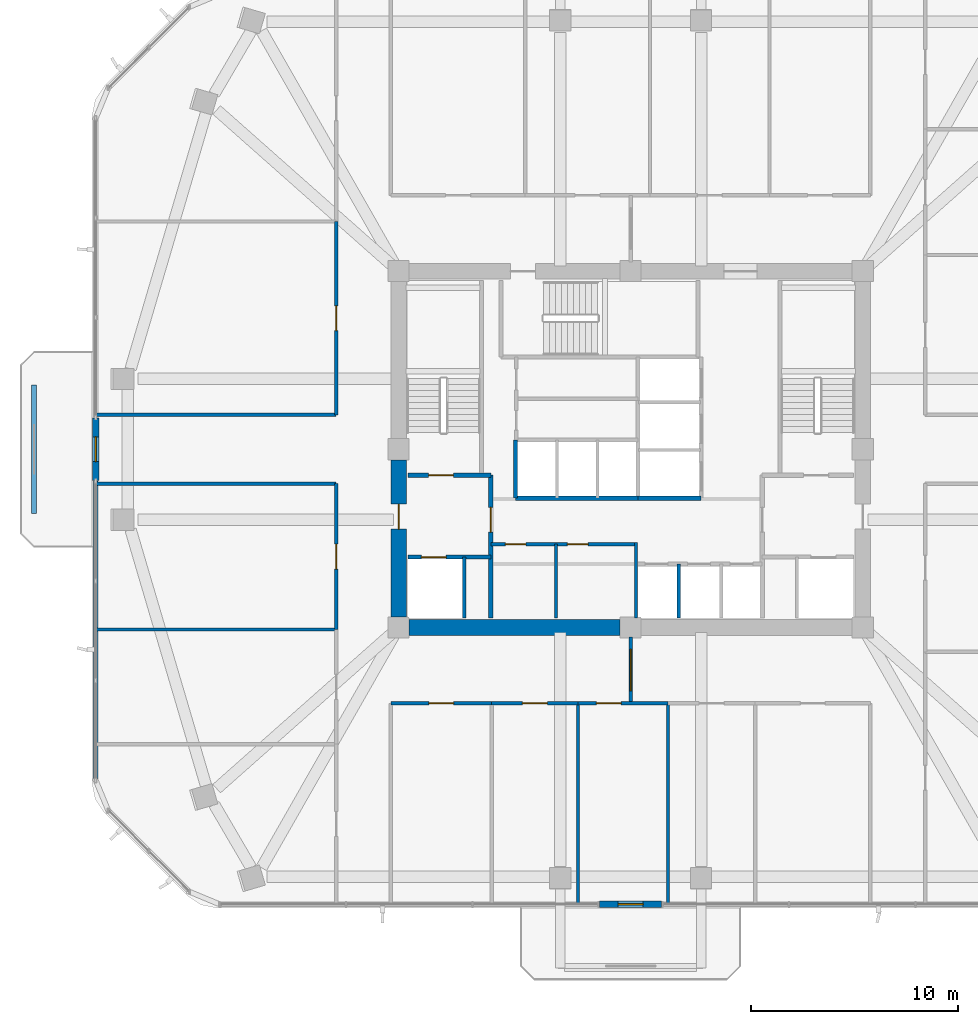
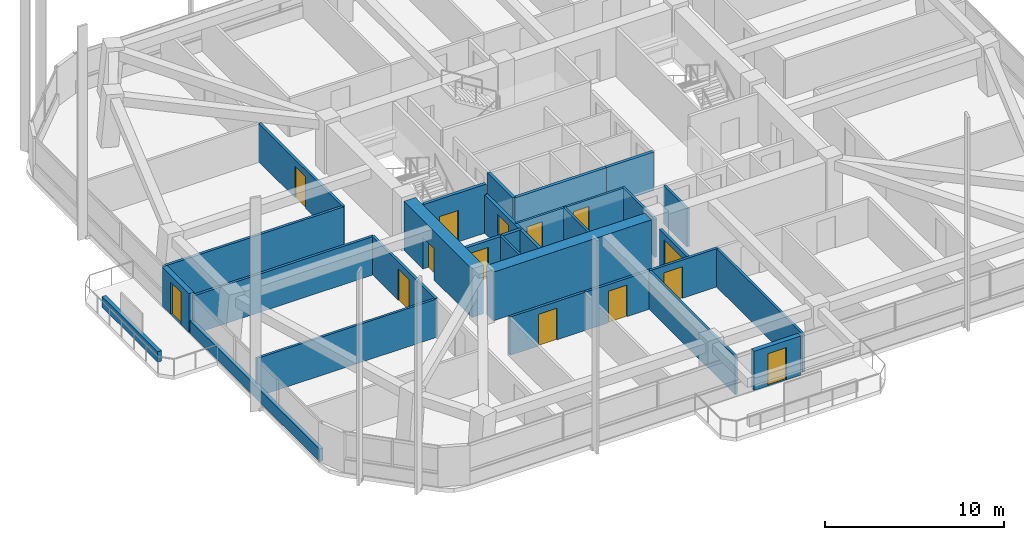
# One storey, part 8 of 15: 28 walls, 14 doors, 14 openings.
"""IFC4 building model written with IfcOpenShell, lengths in metres."""

from ifc_helpers import new_model, si_unit, derived_unit, direction, frame, frame_2d, origin, place, context, subcontext, project, spatial, rectangle, extrude, material, layer, layer_set, type_object, element, fill, save


model = new_model("IFC4")

# Units and contexts
model_context = context("Model", 3, precision=1e-05, world=origin(), true_north=direction((0.0, 1.0)))
body_context = subcontext(model_context, "Body", "Model", "MODEL_VIEW")
ifc_project = project(units=[si_unit("LENGTHUNIT", "METRE"), si_unit("AREAUNIT", "SQUARE_METRE"), si_unit("VOLUMEUNIT", "CUBIC_METRE"), si_unit("PLANEANGLEUNIT", "RADIAN"), si_unit("MASSUNIT", "GRAM", prefix="KILO"), derived_unit("THERMALTRANSMITTANCEUNIT", [(si_unit("POWERUNIT", "WATT"), 1), (si_unit("LENGTHUNIT", "METRE"), -2), (si_unit("THERMODYNAMICTEMPERATUREUNIT", "KELVIN"), -1)])], contexts=[model_context])

# Site, building, storey
site_placement = place(None, origin())
site = spatial("IfcSite", under=ifc_project, at=site_placement, CompositionType="ELEMENT")
building_placement = place(site_placement, origin())
building = spatial("IfcBuilding", under=site, at=building_placement, Name="Koralith Skygarden Medical Center", CompositionType="ELEMENT")
storey_placement = place(building_placement, frame((0.0, 0.0, 99.179931640625)))
storey = spatial("IfcBuildingStorey", under=building, at=storey_placement, Name="L25", CompositionType="ELEMENT", Elevation=99.179931640625)

# Wall, openings, doors
ifc_material_1 = material(Name="Gypsum Board Partition")
ifc_layer_1 = layer(ifc_material_1, 0.14990234375)
ifc_layer_set_1 = layer_set([ifc_layer_1], Name="Gypsum Board Partition")
wall_type_1 = type_object("IfcWallType", Name="Clinical Acoustic Partition 150", PredefinedType="PARTITIONING", material=ifc_layer_set_1)
wall_1_placement = place(storey_placement, frame((30.25, 21.320068359375, 0.0), z_axis=(0.0, 0.0, 1.0), x_axis=(1.0, 0.0, 0.0)))
wall_1 = element("IfcWall", 1, at=wall_1_placement, inside=storey, type_object=wall_type_1, Name="L25 Clinical Acoustic Partition 150 W-CORE-L25-FREED-LR-N", PredefinedType="PARTITIONING", context=body_context, shape_type="SweptSolid", body=[
    extrude(rectangle(XDim=7.0, YDim=0.14990234375, at=frame_2d((3.5, 0.0))), origin(), (0.0, 0.0, 1.0), 2.610107421875),
])
opening_1_placement = place(wall_1_placement, frame((0.699951171875, 0.0, 0.0)))
opening_1 = element("IfcOpeningElement", 2, at=opening_1_placement, cuts=wall_1, Name="Opening D-SUP", PredefinedType="OPENING", context=body_context, shape_type="SweptSolid", body=[
    extrude(rectangle(XDim=1.0, YDim=2.14990234375, at=frame_2d((0.5, 1.074951171875))), frame((0.0, 0.0849609375, 0.0), z_axis=(0.0, -1.0, 0.0), x_axis=(1.0, 0.0, 0.0)), (0.0, 0.0, 1.0), 0.169921875),
])
opening_2_placement = place(wall_1_placement, frame((3.699951171875, 0.0, 0.0)))
opening_2 = element("IfcOpeningElement", 3, at=opening_2_placement, cuts=wall_1, Name="Opening D-SUP", PredefinedType="OPENING", context=body_context, shape_type="SweptSolid", body=[
    extrude(rectangle(XDim=1.0, YDim=2.14990234375, at=frame_2d((0.5, 1.074951171875))), frame((0.0, 0.0849609375, 0.0), z_axis=(0.0, -1.0, 0.0), x_axis=(1.0, 0.0, 0.0)), (0.0, 0.0, 1.0), 0.169921875),
])
ifc_material_2 = material(Name="Aluminium 6063-T6", Category="aluminium")
door_type_1 = type_object("IfcDoorType", Name="Clinical Support Door D-SUP 1000", OperationType="NOTDEFINED", PredefinedType="DOOR", material=ifc_material_2)
door_1_placement = place(opening_1_placement, frame((1.0, 0.0, 0.0), z_axis=(0.0, 0.0, 1.0), x_axis=(-1.0, 0.0, 0.0)))
door_1 = element("IfcDoor", 4, at=door_1_placement, inside=storey, type_object=door_type_1, Name="L25 Medication Preparation Door", OperationType="SINGLE_SWING_LEFT", OverallHeight=2.14990234375, OverallWidth=1.0, PredefinedType="DOOR", context=body_context, shape_type="SweptSolid", body=[
    extrude(rectangle(XDim=1.0, YDim=2.14990234375, at=frame_2d((0.5, 1.074951171875))), frame((0.0, 0.02490234375, 0.0), z_axis=(0.0, -1.0, 0.0), x_axis=(1.0, 0.0, 0.0)), (0.0, 0.0, 1.0), 0.050048828125),
])
fill(opening_1, door_1)
door_2_placement = place(opening_2_placement, frame((1.0, 0.0, 0.0), z_axis=(0.0, 0.0, 1.0), x_axis=(-1.0, 0.0, 0.0)))
door_2 = element("IfcDoor", 5, at=door_2_placement, inside=storey, type_object=door_type_1, Name="L25 Telemetry Room Door", OperationType="SINGLE_SWING_RIGHT", OverallHeight=2.14990234375, OverallWidth=1.0, PredefinedType="DOOR", context=body_context, shape_type="SweptSolid", body=[
    extrude(rectangle(XDim=1.0, YDim=2.14990234375, at=frame_2d((0.5, 1.074951171875))), frame((0.0, 0.02490234375, 0.0), z_axis=(0.0, -1.0, 0.0), x_axis=(1.0, 0.0, 0.0)), (0.0, 0.0, 1.0), 0.050048828125),
])
fill(opening_2, door_2)

# Walls
wall_2_placement = place(storey_placement, frame((33.39990234375, 17.75, 0.0), z_axis=(0.0, 0.0, 1.0), x_axis=(0.0, 1.0, 0.0)))
element("IfcWall", 6, at=wall_2_placement, inside=storey, type_object=wall_type_1, Name="L25 Clinical Acoustic Partition 150 W-CORE-L25-FREED-LR-M", PredefinedType="PARTITIONING", context=body_context, shape_type="SweptSolid", body=[
    extrude(rectangle(XDim=3.570068359375, YDim=0.14990234375, at=frame_2d((1.78515625, 0.0))), origin(), (0.0, 0.0, 1.0), 2.610107421875),
])
for number, where, z_axis, x_axis, name in (
    (7, (34.45703125, 13.639892578125, 0.0), (0.0, 0.0, 1.0), (0.0, -1.0, 0.0), "L25 Clinical Acoustic Partition 150 W-PART-L25-S-02"),
    (8, (38.800048828125, 13.639892578125, 0.0), (0.0, 0.0, 1.0), (0.0, -1.0, 0.0), "L25 Clinical Acoustic Partition 150 W-PART-L25-S-03"),
):
    element("IfcWall", number, at=place(storey_placement, frame(where, z_axis=z_axis, x_axis=x_axis)), inside=storey, type_object=wall_type_1, Name=name, PredefinedType="PARTITIONING", context=body_context, shape_type="SweptSolid", body=[
        extrude(rectangle(XDim=9.6748046875, YDim=0.14990234375, at=frame_2d((4.83740234375, 0.0))), origin(), (0.0, 0.0, 1.0), 2.610107421875),
    ])
wall_3_placement = place(storey_placement, frame((22.7900390625, 17.199951171875, 0.0), z_axis=(0.0, 0.0, 1.0), x_axis=(-1.0, 0.0, 0.0)))
element("IfcWall", 9, at=wall_3_placement, inside=storey, type_object=wall_type_1, Name="L25 Clinical Acoustic Partition 150 W-PART-L25-WS-02", PredefinedType="PARTITIONING", context=body_context, shape_type="SweptSolid", body=[
    extrude(rectangle(XDim=11.5830078125, YDim=0.14990234375, at=frame_2d((5.79150390625, 0.0))), origin(), (0.0, 0.0, 1.0), 2.610107421875),
])
ifc_layer_2 = layer(ifc_material_1, 0.1650390625)
ifc_layer_set_2 = layer_set([ifc_layer_2], Name="Gypsum Board Partition")
wall_type_2 = type_object("IfcWallType", Name="Clinical Corridor Partition 165", PredefinedType="PARTITIONING", material=ifc_layer_set_2)
for number, where, z_axis, x_axis, name in (
    (10, (11.20703125, 24.239990234375, 0.0), (0.0, 0.0, 1.0), (1.0, 0.0, 0.0), "L25 Clinical Corridor Partition 165 W-HCOR-L25-EWS-W"),
    (11, (11.20703125, 27.56005859375, 0.0), (0.0, 0.0, 1.0), (1.0, 0.0, 0.0), "L25 Clinical Corridor Partition 165 W-HCOR-L25-EWN-W"),
):
    element("IfcWall", number, at=place(storey_placement, frame(where, z_axis=z_axis, x_axis=x_axis)), inside=storey, type_object=wall_type_2, Name=name, PredefinedType="PARTITIONING", context=body_context, shape_type="SweptSolid", body=[
        extrude(rectangle(XDim=11.5830078125, YDim=0.1650390625, at=frame_2d((5.79150390625, 0.0))), origin(), (0.0, 0.0, 1.0), 2.610107421875),
    ])

# Wall, opening, door
wall_4_placement = place(storey_placement, frame((25.429931640625, 13.639892578125, 0.0), z_axis=(0.0, 0.0, 1.0), x_axis=(1.0, 0.0, 0.0)))
wall_4 = element("IfcWall", 12, at=wall_4_placement, inside=storey, type_object=wall_type_2, Name="L25 Clinical Corridor Partition 165 W-CORR-L25-S-01", PredefinedType="PARTITIONING", context=body_context, shape_type="SweptSolid", body=[
    extrude(rectangle(XDim=4.864990234375, YDim=0.1650390625, at=frame_2d((2.4326171875, 0.0))), origin(), (0.0, 0.0, 1.0), 2.610107421875),
])
opening_3_placement = place(wall_4_placement, frame((1.8330078125, 0.0, 0.0)))
opening_3 = element("IfcOpeningElement", 13, at=opening_3_placement, cuts=wall_4, Name="Opening D-CLN", PredefinedType="OPENING", context=body_context, shape_type="SweptSolid", body=[
    extrude(rectangle(XDim=1.199951171875, YDim=2.14990234375, at=frame_2d((0.60009765625, 1.074951171875))), frame((0.0, 0.092529296875, 0.0), z_axis=(0.0, -1.0, 0.0), x_axis=(1.0, 0.0, 0.0)), (0.0, 0.0, 1.0), 0.18505859375),
])
door_type_2 = type_object("IfcDoorType", Name="Clinical Corridor Door D-CLN 1200", OperationType="NOTDEFINED", PredefinedType="DOOR", material=ifc_material_2)
door_3_placement = place(opening_3_placement, frame((1.199951171875, 0.0, 0.0), z_axis=(0.0, 0.0, 1.0), x_axis=(-1.0, 0.0, 0.0)))
door_3 = element("IfcDoor", 14, at=door_3_placement, inside=storey, type_object=door_type_2, Name="L25 Palliative Quiet Family Lounge 05 Door", OperationType="SINGLE_SWING_RIGHT", OverallHeight=2.14990234375, OverallWidth=1.199951171875, PredefinedType="DOOR", context=body_context, shape_type="SweptSolid", body=[
    extrude(rectangle(XDim=1.199951171875, YDim=2.14990234375, at=frame_2d((0.60009765625, 1.074951171875))), frame((0.0, 0.02490234375, 0.0), z_axis=(0.0, -1.0, 0.0), x_axis=(1.0, 0.0, 0.0)), (0.0, 0.0, 1.0), 0.050048828125),
])
fill(opening_3, door_3)

wall_5_placement = place(storey_placement, frame((30.294921875, 13.639892578125, 0.0), z_axis=(0.0, 0.0, 1.0), x_axis=(1.0, 0.0, 0.0)))
wall_5 = element("IfcWall", 15, at=wall_5_placement, inside=storey, type_object=wall_type_2, Name="L25 Clinical Corridor Partition 165 W-CORR-L25-S-02", PredefinedType="PARTITIONING", context=body_context, shape_type="SweptSolid", body=[
    extrude(rectangle(XDim=4.162109375, YDim=0.1650390625, at=frame_2d((2.0810546875, 0.0))), origin(), (0.0, 0.0, 1.0), 2.610107421875),
])
opening_4_placement = place(wall_5_placement, frame((1.48095703125, 0.0, 0.0)))
opening_4 = element("IfcOpeningElement", 16, at=opening_4_placement, cuts=wall_5, Name="Opening D-CLN", PredefinedType="OPENING", context=body_context, shape_type="SweptSolid", body=[
    extrude(rectangle(XDim=1.199951171875, YDim=2.14990234375, at=frame_2d((0.60009765625, 1.074951171875))), frame((0.0, 0.092529296875, 0.0), z_axis=(0.0, -1.0, 0.0), x_axis=(1.0, 0.0, 0.0)), (0.0, 0.0, 1.0), 0.18505859375),
])
door_4_placement = place(opening_4_placement, frame((1.199951171875, 0.0, 0.0), z_axis=(0.0, 0.0, 1.0), x_axis=(-1.0, 0.0, 0.0)))
door_4 = element("IfcDoor", 17, at=door_4_placement, inside=storey, type_object=door_type_2, Name="L25 Bereavement Sitting Room 06 Door", OperationType="SINGLE_SWING_LEFT", OverallHeight=2.14990234375, OverallWidth=1.199951171875, PredefinedType="DOOR", context=body_context, shape_type="SweptSolid", body=[
    extrude(rectangle(XDim=1.199951171875, YDim=2.14990234375, at=frame_2d((0.60009765625, 1.074951171875))), frame((0.0, 0.02490234375, 0.0), z_axis=(0.0, -1.0, 0.0), x_axis=(1.0, 0.0, 0.0)), (0.0, 0.0, 1.0), 0.050048828125),
])
fill(opening_4, door_4)

wall_6_placement = place(storey_placement, frame((34.45703125, 13.639892578125, 0.0), z_axis=(0.0, 0.0, 1.0), x_axis=(1.0, 0.0, 0.0)))
wall_6 = element("IfcWall", 18, at=wall_6_placement, inside=storey, type_object=wall_type_2, Name="L25 Clinical Corridor Partition 165 W-CORR-L25-S-03", PredefinedType="PARTITIONING", context=body_context, shape_type="SweptSolid", body=[
    extrude(rectangle(XDim=4.343017578125, YDim=0.1650390625, at=frame_2d((2.17138671875, 0.0))), origin(), (0.0, 0.0, 1.0), 2.610107421875),
])
opening_5_placement = place(wall_6_placement, frame((0.886962890625, 0.0, 0.0)))
opening_5 = element("IfcOpeningElement", 19, at=opening_5_placement, cuts=wall_6, Name="Opening D-CLN", PredefinedType="OPENING", context=body_context, shape_type="SweptSolid", body=[
    extrude(rectangle(XDim=1.199951171875, YDim=2.14990234375, at=frame_2d((0.60009765625, 1.074951171875))), frame((0.0, 0.092529296875, 0.0), z_axis=(0.0, -1.0, 0.0), x_axis=(1.0, 0.0, 0.0)), (0.0, 0.0, 1.0), 0.18505859375),
])
door_5_placement = place(opening_5_placement, frame((1.199951171875, 0.0, 0.0), z_axis=(0.0, 0.0, 1.0), x_axis=(-1.0, 0.0, 0.0)))
door_5 = element("IfcDoor", 20, at=door_5_placement, inside=storey, type_object=door_type_2, Name="L25 Patient and Family Sky-Garden Day Lounge 07 Door", OperationType="SINGLE_SWING_RIGHT", OverallHeight=2.14990234375, OverallWidth=1.199951171875, PredefinedType="DOOR", context=body_context, shape_type="SweptSolid", body=[
    extrude(rectangle(XDim=1.199951171875, YDim=2.14990234375, at=frame_2d((0.60009765625, 1.074951171875))), frame((0.0, 0.02490234375, 0.0), z_axis=(0.0, -1.0, 0.0), x_axis=(1.0, 0.0, 0.0)), (0.0, 0.0, 1.0), 0.050048828125),
])
fill(opening_5, door_5)

wall_7_placement = place(storey_placement, frame((22.7900390625, 17.199951171875, 0.0), z_axis=(0.0, 0.0, 1.0), x_axis=(0.0, 1.0, 0.0)))
wall_7 = element("IfcWall", 21, at=wall_7_placement, inside=storey, type_object=wall_type_2, Name="L25 Clinical Corridor Partition 165 W-CORR-L25-WS-03", PredefinedType="PARTITIONING", context=body_context, shape_type="SweptSolid", body=[
    extrude(rectangle(XDim=7.0400390625, YDim=0.1650390625, at=frame_2d((3.52001953125, 0.0))), origin(), (0.0, 0.0, 1.0), 2.610107421875),
])
opening_6_placement = place(wall_7_placement, frame((2.919921875, 0.0, 0.0)))
opening_6 = element("IfcOpeningElement", 22, at=opening_6_placement, cuts=wall_7, Name="Opening D-CLN", PredefinedType="OPENING", context=body_context, shape_type="SweptSolid", body=[
    extrude(rectangle(XDim=1.199951171875, YDim=2.14990234375, at=frame_2d((0.60009765625, 1.074951171875))), frame((0.0, 0.092529296875, 0.0), z_axis=(0.0, -1.0, 0.0), x_axis=(1.0, 0.0, 0.0)), (0.0, 0.0, 1.0), 0.18505859375),
])
door_6_placement = place(opening_6_placement, frame((1.199951171875, 0.0, 0.0), z_axis=(0.0, 0.0, 1.0), x_axis=(-1.0, 0.0, 0.0)))
door_6 = element("IfcDoor", 23, at=door_6_placement, inside=storey, type_object=door_type_2, Name="L25 Family Nourishment Pantry 12 Door", OperationType="SINGLE_SWING_LEFT", OverallHeight=2.14990234375, OverallWidth=1.199951171875, PredefinedType="DOOR", context=body_context, shape_type="SweptSolid", body=[
    extrude(rectangle(XDim=1.199951171875, YDim=2.14990234375, at=frame_2d((0.60009765625, 1.074951171875))), frame((0.0, 0.02490234375, 0.0), z_axis=(0.0, -1.0, 0.0), x_axis=(1.0, 0.0, 0.0)), (0.0, 0.0, 1.0), 0.050048828125),
])
fill(opening_6, door_6)

wall_8_placement = place(storey_placement, frame((22.7900390625, 27.56005859375, 0.0), z_axis=(0.0, 0.0, 1.0), x_axis=(0.0, 1.0, 0.0)))
wall_8 = element("IfcWall", 24, at=wall_8_placement, inside=storey, type_object=wall_type_2, Name="L25 Clinical Corridor Partition 165 W-CORR-L25-WN-01", PredefinedType="PARTITIONING", context=body_context, shape_type="SweptSolid", body=[
    extrude(rectangle(XDim=9.325927734375, YDim=0.1650390625, at=frame_2d((4.6630859375, 0.0))), origin(), (0.0, 0.0, 1.0), 2.610107421875),
])
opening_7_placement = place(wall_8_placement, frame((4.06298828125, 0.0, 0.0)))
opening_7 = element("IfcOpeningElement", 25, at=opening_7_placement, cuts=wall_8, Name="Opening D-CLN", PredefinedType="OPENING", context=body_context, shape_type="SweptSolid", body=[
    extrude(rectangle(XDim=1.199951171875, YDim=2.14990234375, at=frame_2d((0.60009765625, 1.074951171875))), frame((0.0, 0.092529296875, 0.0), z_axis=(0.0, -1.0, 0.0), x_axis=(1.0, 0.0, 0.0)), (0.0, 0.0, 1.0), 0.18505859375),
])
door_7_placement = place(opening_7_placement, frame((1.199951171875, 0.0, 0.0), z_axis=(0.0, 0.0, 1.0), x_axis=(-1.0, 0.0, 0.0)))
door_7 = element("IfcDoor", 26, at=door_7_placement, inside=storey, type_object=door_type_2, Name="L25 Pastoral Counseling Office 13 Door", OperationType="SINGLE_SWING_RIGHT", OverallHeight=2.14990234375, OverallWidth=1.199951171875, PredefinedType="DOOR", context=body_context, shape_type="SweptSolid", body=[
    extrude(rectangle(XDim=1.199951171875, YDim=2.14990234375, at=frame_2d((0.60009765625, 1.074951171875))), frame((0.0, 0.02490234375, 0.0), z_axis=(0.0, -1.0, 0.0), x_axis=(1.0, 0.0, 0.0)), (0.0, 0.0, 1.0), 0.050048828125),
])
fill(opening_7, door_7)

ifc_layer_3 = layer(ifc_material_1, 0.199951171875)
ifc_layer_set_3 = layer_set([ifc_layer_3], Name="Gypsum Board Partition")
wall_type_3 = type_object("IfcWallType", Name="Fire Shaft Wall 200", PredefinedType="SOLIDWALL", material=ifc_layer_set_3)
wall_9_placement = place(storey_placement, frame((26.25, 20.699951171875, 0.0), z_axis=(0.0, 0.0, 1.0), x_axis=(1.0, 0.0, 0.0)))
wall_9 = element("IfcWall", 27, at=wall_9_placement, inside=storey, type_object=wall_type_3, Name="L25 Fire Shaft Wall 200 W-CORE-L25-FF1-N", PredefinedType="SOLIDWALL", context=body_context, shape_type="SweptSolid", body=[
    extrude(rectangle(XDim=4.0, YDim=0.199951171875, at=frame_2d((2.0, 0.0))), origin(), (0.0, 0.0, 1.0), 2.610107421875),
])
opening_8_placement = place(wall_9_placement, frame((0.64990234375, 0.0, 0.0)))
opening_8 = element("IfcOpeningElement", 28, at=opening_8_placement, cuts=wall_9, Name="Opening LD-FF", PredefinedType="OPENING", context=body_context, shape_type="SweptSolid", body=[
    extrude(rectangle(XDim=1.199951171875, YDim=2.14990234375, at=frame_2d((0.60009765625, 1.074951171875))), frame((0.0, 0.10986328125, 0.0), z_axis=(0.0, -1.0, 0.0), x_axis=(1.0, 0.0, 0.0)), (0.0, 0.0, 1.0), 0.219970703125),
])
ifc_material_3 = material(Name="Steel ASTM A500 Grade C", Category="steel")
door_type_3 = type_object("IfcDoorType", Name="Fire Lift Sliding Landing Door LD-FF 1200", OperationType="NOTDEFINED", PredefinedType="DOOR", material=ifc_material_3)
door_8_placement = place(opening_8_placement, origin())
door_8 = element("IfcDoor", 29, at=door_8_placement, inside=storey, type_object=door_type_3, Name="L25 Fire Service Elevator FF1 Landing Door", OperationType="SLIDING_TO_LEFT", OverallHeight=2.14990234375, OverallWidth=1.199951171875, PredefinedType="DOOR", context=body_context, shape_type="SweptSolid", body=[
    extrude(rectangle(XDim=1.199951171875, YDim=2.14990234375, at=frame_2d((0.60009765625, 1.074951171875))), frame((0.0, 0.02490234375, 0.0), z_axis=(0.0, -1.0, 0.0), x_axis=(1.0, 0.0, 0.0)), (0.0, 0.0, 1.0), 0.050048828125),
])
fill(opening_8, door_8)

wall_10_placement = place(storey_placement, frame((30.25, 17.75, 0.0), z_axis=(0.0, 0.0, 1.0), x_axis=(0.0, 1.0, 0.0)))
wall_10 = element("IfcWall", 30, at=wall_10_placement, inside=storey, type_object=wall_type_3, Name="L25 Fire Shaft Wall 200 W-CORE-L25-FSAEW-E", PredefinedType="SOLIDWALL", context=body_context, shape_type="SweptSolid", body=[
    extrude(rectangle(XDim=6.89990234375, YDim=0.199951171875, at=frame_2d((3.449951171875, 0.0))), origin(), (0.0, 0.0, 1.0), 2.610107421875),
])
opening_9_placement = place(wall_10_placement, frame((4.14990234375, 0.0, 0.0)))
opening_9 = element("IfcOpeningElement", 31, at=opening_9_placement, cuts=wall_10, Name="Opening D-ST60", PredefinedType="OPENING", context=body_context, shape_type="SweptSolid", body=[
    extrude(rectangle(XDim=1.199951171875, YDim=2.14990234375, at=frame_2d((0.60009765625, 1.074951171875))), frame((0.0, 0.10986328125, 0.0), z_axis=(0.0, -1.0, 0.0), x_axis=(1.0, 0.0, 0.0)), (0.0, 0.0, 1.0), 0.219970703125),
])
door_type_4 = type_object("IfcDoorType", Name="Smokeproof Stair Fire Door FD60S 1200", OperationType="NOTDEFINED", PredefinedType="DOOR", material=ifc_material_3)
door_9_placement = place(opening_9_placement, origin())
door_9 = element("IfcDoor", 32, at=door_9_placement, inside=storey, type_object=door_type_4, Name="L25 West Firefighting Lobby Inner Fire Door", OperationType="SINGLE_SWING_LEFT", OverallHeight=2.14990234375, OverallWidth=1.199951171875, PredefinedType="DOOR", context=body_context, shape_type="SweptSolid", body=[
    extrude(rectangle(XDim=1.199951171875, YDim=2.14990234375, at=frame_2d((0.60009765625, 1.074951171875))), frame((0.0, 0.02490234375, 0.0), z_axis=(0.0, -1.0, 0.0), x_axis=(1.0, 0.0, 0.0)), (0.0, 0.0, 1.0), 0.050048828125),
])
fill(opening_9, door_9)

# Walls
wall_11_placement = place(storey_placement, frame((31.449951171875, 23.5400390625, 0.0), z_axis=(0.0, 0.0, 1.0), x_axis=(1.0, 0.0, 0.0)))
element("IfcWall", 33, at=wall_11_placement, inside=storey, type_object=wall_type_3, Name="L25 Fire Shaft Wall 200 W-CORE-L25-PH-S", PredefinedType="SOLIDWALL", context=body_context, shape_type="SweptSolid", body=[
    extrude(rectangle(XDim=5.900146484375, YDim=0.199951171875, at=frame_2d((2.9501953125, 0.0))), origin(), (0.0, 0.0, 1.0), 2.610107421875),
])
wall_12_placement = place(storey_placement, frame((31.449951171875, 23.5400390625, 0.0), z_axis=(0.0, 0.0, 1.0), x_axis=(0.0, 1.0, 0.0)))
element("IfcWall", 34, at=wall_12_placement, inside=storey, type_object=wall_type_3, Name="L25 Fire Shaft Wall 200 W-CORE-L25-PH-W", PredefinedType="SOLIDWALL", context=body_context, shape_type="SweptSolid", body=[
    extrude(rectangle(XDim=2.81005859375, YDim=0.199951171875, at=frame_2d((1.405029296875, 0.0))), origin(), (0.0, 0.0, 1.0), 2.610107421875),
])
wall_13_placement = place(storey_placement, frame((37.35009765625, 23.5400390625, 0.0), z_axis=(0.0, 0.0, 1.0), x_axis=(1.0, 0.0, 0.0)))
element("IfcWall", 35, at=wall_13_placement, inside=storey, type_object=wall_type_3, Name="L25 Fire Shaft Wall 200 W-CORE-L25-SV-S", PredefinedType="SOLIDWALL", context=body_context, shape_type="SweptSolid", body=[
    extrude(rectangle(XDim=3.0498046875, YDim=0.199951171875, at=frame_2d((1.52490234375, 0.0))), origin(), (0.0, 0.0, 1.0), 2.610107421875),
])

# Wall, opening, door
ifc_layer_4 = layer(ifc_material_1, 0.179931640625)
ifc_layer_set_4 = layer_set([ifc_layer_4], Name="Gypsum Board Partition")
wall_type_4 = type_object("IfcWallType", Name="Group I-2 Smoke Barrier Wall 180", PredefinedType="PARTITIONING", material=ifc_layer_set_4)
wall_14_placement = place(storey_placement, frame((37.0, 13.639892578125, 0.0), z_axis=(0.0, 0.0, 1.0), x_axis=(0.0, 1.0, 0.0)))
wall_14 = element("IfcWall", 36, at=wall_14_placement, inside=storey, type_object=wall_type_4, Name="L25 Group I-2 Smoke Barrier Wall 180 W-SMK-L25-S", PredefinedType="PARTITIONING", context=body_context, shape_type="SweptSolid", body=[
    extrude(rectangle(XDim=3.210205078125, YDim=0.179931640625, at=frame_2d((1.60498046875, 0.0))), origin(), (0.0, 0.0, 1.0), 2.610107421875),
])
opening_10_placement = place(wall_14_placement, frame((0.60498046875, 0.0, 0.0)))
opening_10 = element("IfcOpeningElement", 37, at=opening_10_placement, cuts=wall_14, Name="Opening D-SMK", PredefinedType="OPENING", context=body_context, shape_type="SweptSolid", body=[
    extrude(rectangle(XDim=2.0, YDim=2.199951171875, at=frame_2d((1.0, 1.10009765625))), frame((0.0, 0.099853515625, 0.0), z_axis=(0.0, -1.0, 0.0), x_axis=(1.0, 0.0, 0.0)), (0.0, 0.0, 1.0), 0.199951171875),
])
door_type_5 = type_object("IfcDoorType", Name="Cross-Corridor Double Smoke Door FD60S 2000", OperationType="NOTDEFINED", PredefinedType="DOOR", material=ifc_material_3)
door_10_placement = place(opening_10_placement, frame((2.0, 0.0, 0.0), z_axis=(0.0, 0.0, 1.0), x_axis=(-1.0, 0.0, 0.0)))
door_10 = element("IfcDoor", 38, at=door_10_placement, inside=storey, type_object=door_type_5, Name="L25 S Smoke Compartment Cross-Corridor Door", OperationType="DOUBLE_DOOR_SINGLE_SWING", OverallHeight=2.199951171875, OverallWidth=2.0, PredefinedType="DOOR", context=body_context, shape_type="SweptSolid", body=[
    extrude(rectangle(XDim=2.0, YDim=2.199951171875, at=frame_2d((1.0, 1.10009765625))), frame((0.0, 0.02490234375, 0.0), z_axis=(0.0, -1.0, 0.0), x_axis=(1.0, 0.0, 0.0)), (0.0, 0.0, 1.0), 0.050048828125),
])
fill(opening_10, door_10)

# Walls
ifc_material_4 = material(Name="Warm Oolitic Limestone Cladding", Category="masonry")
ifc_layer_5 = layer(ifc_material_4, 0.239990234375)
ifc_layer_set_5 = layer_set([ifc_layer_5], Name="Warm Oolitic Limestone Cladding")
wall_type_5 = type_object("IfcWallType", Name="Limestone Spandrel Sill Backup Wall 240", PredefinedType="SOLIDWALL", material=ifc_layer_set_5)
wall_15_placement = place(storey_placement, frame((11.18701171875, 24.360107421875, 0.0), z_axis=(0.0, 0.0, 1.0), x_axis=(0.0, -1.0, 0.0)))
element("IfcWall", 39, at=wall_15_placement, inside=storey, type_object=wall_type_5, Name="L25 Sill Spandrel W-R", PredefinedType="SOLIDWALL", context=body_context, shape_type="SweptSolid", body=[
    extrude(rectangle(XDim=14.439208984375, YDim=0.239990234375, at=frame_2d((7.2197265625, 0.0))), origin(), (0.0, 0.0, 1.0), 0.85009765625),
])
ifc_material_5 = material(Name="Concrete C70/85", Category="concrete")
ifc_layer_6 = layer(ifc_material_5, 0.75)
ifc_layer_set_6 = layer_set([ifc_layer_6], Name="Concrete C70/85")
wall_type_6 = type_object("IfcWallType", Name="Mid Core Shear Wall 750", PredefinedType="SHEAR", material=ifc_layer_set_6)
wall_16_placement = place(storey_placement, frame((26.304931640625, 17.300048828125, 0.0), z_axis=(0.0, 0.0, 1.0), x_axis=(1.0, 0.0, 0.0)))
element("IfcWall", 40, at=wall_16_placement, inside=storey, type_object=wall_type_6, Name="L25 Core Shear Wall Segment 1", PredefinedType="SHEAR", context=body_context, shape_type="SweptSolid", body=[
    extrude(rectangle(XDim=10.190185546875, YDim=0.75, at=frame_2d((5.09521484375, 0.0))), origin(), (0.0, 0.0, 1.0), 3.320068359375),
])

# Wall, opening, door
wall_17_placement = place(storey_placement, frame((25.800048828125, 25.39501953125, 0.0), z_axis=(0.0, 0.0, 1.0), x_axis=(0.0, -1.0, 0.0)))
wall_17 = element("IfcWall", 41, at=wall_17_placement, inside=storey, type_object=wall_type_6, Name="L25 Core Shear Wall Segment 8", PredefinedType="SHEAR", context=body_context, shape_type="SweptSolid", body=[
    extrude(rectangle(XDim=7.590087890625, YDim=0.75, at=frame_2d((3.794921875, 0.0))), origin(), (0.0, 0.0, 1.0), 3.320068359375),
])
opening_11_placement = place(wall_17_placement, frame((2.14501953125, 0.0, 0.0)))
opening_11 = element("IfcOpeningElement", 42, at=opening_11_placement, cuts=wall_17, Name="Opening D-ST60", PredefinedType="OPENING", context=body_context, shape_type="SweptSolid", body=[
    extrude(rectangle(XDim=1.199951171875, YDim=2.14990234375, at=frame_2d((0.60009765625, 1.074951171875))), frame((0.0, 0.385009765625, 0.0), z_axis=(0.0, -1.0, 0.0), x_axis=(1.0, 0.0, 0.0)), (0.0, 0.0, 1.0), 0.77001953125),
])
door_11_placement = place(opening_11_placement, frame((1.199951171875, 0.0, 0.0), z_axis=(0.0, 0.0, 1.0), x_axis=(-1.0, 0.0, 0.0)))
door_11 = element("IfcDoor", 43, at=door_11_placement, inside=storey, type_object=door_type_4, Name="L25 West Corridor to Firefighting Lobby Door", OperationType="SINGLE_SWING_LEFT", OverallHeight=2.14990234375, OverallWidth=1.199951171875, PredefinedType="DOOR", context=body_context, shape_type="SweptSolid", body=[
    extrude(rectangle(XDim=1.199951171875, YDim=2.14990234375, at=frame_2d((0.60009765625, 1.074951171875))), frame((0.0, 0.02490234375, 0.0), z_axis=(0.0, -1.0, 0.0), x_axis=(1.0, 0.0, 0.0)), (0.0, 0.0, 1.0), 0.050048828125),
])
fill(opening_11, door_11)

ifc_layer_7 = layer(ifc_material_4, 0.300048828125)
ifc_layer_set_7 = layer_set([ifc_layer_7], Name="Warm Oolitic Limestone Cladding")
wall_type_7 = type_object("IfcWallType", Name="Oolitic Limestone Insulated Facade Wall 300", PredefinedType="SOLIDWALL", material=ifc_layer_set_7)
wall_18_placement = place(storey_placement, frame((35.4990234375, 3.945068359375, 0.0), z_axis=(0.0, 0.0, 1.0), x_axis=(1.0, 0.0, 0.0)))
wall_18 = element("IfcWall", 44, at=wall_18_placement, inside=storey, type_object=wall_type_7, Name="L25 Terrace Portal Wall S", PredefinedType="SOLIDWALL", context=body_context, shape_type="SweptSolid", body=[
    extrude(rectangle(XDim=3.0, YDim=0.300048828125, at=frame_2d((1.5, 0.0))), origin(), (0.0, 0.0, 1.0), 2.670166015625),
])
opening_12_placement = place(wall_18_placement, frame((0.89990234375, 0.0, 0.0)))
opening_12 = element("IfcOpeningElement", 45, at=opening_12_placement, cuts=wall_18, Name="Opening D-BAL", PredefinedType="OPENING", context=body_context, shape_type="SweptSolid", body=[
    extrude(rectangle(XDim=1.199951171875, YDim=2.199951171875, at=frame_2d((0.60009765625, 1.10009765625))), frame((0.0, 0.159912109375, 0.0), z_axis=(0.0, -1.0, 0.0), x_axis=(1.0, 0.0, 0.0)), (0.0, 0.0, 1.0), 0.320068359375),
])
door_type_6 = type_object("IfcDoorType", Name="Planted Balcony Glazed Terrace Door D-BAL 1200", OperationType="NOTDEFINED", PredefinedType="DOOR", material=ifc_material_2)
door_12_placement = place(opening_12_placement, origin())
door_12 = element("IfcDoor", 46, at=door_12_placement, inside=storey, type_object=door_type_6, Name="L25 S Outdoor Terrace Access Door", OperationType="SINGLE_SWING_RIGHT", OverallHeight=2.199951171875, OverallWidth=1.199951171875, PredefinedType="DOOR", context=body_context, shape_type="SweptSolid", body=[
    extrude(rectangle(XDim=1.199951171875, YDim=2.199951171875, at=frame_2d((0.60009765625, 1.10009765625))), frame((0.0, 0.02490234375, 0.0), z_axis=(0.0, -1.0, 0.0), x_axis=(1.0, 0.0, 0.0)), (0.0, 0.0, 1.0), 0.050048828125),
])
fill(opening_12, door_12)

wall_19_placement = place(storey_placement, frame((11.18701171875, 27.39990234375, 0.0), z_axis=(0.0, 0.0, 1.0), x_axis=(0.0, -1.0, 0.0)))
wall_19 = element("IfcWall", 47, at=wall_19_placement, inside=storey, type_object=wall_type_7, Name="L25 Terrace Portal Wall W", PredefinedType="SOLIDWALL", context=body_context, shape_type="SweptSolid", body=[
    extrude(rectangle(XDim=3.0, YDim=0.300048828125, at=frame_2d((1.5, 0.0))), origin(), (0.0, 0.0, 1.0), 2.670166015625),
])
opening_13_placement = place(wall_19_placement, frame((0.89990234375, 0.0, 0.0)))
opening_13 = element("IfcOpeningElement", 48, at=opening_13_placement, cuts=wall_19, Name="Opening D-BAL", PredefinedType="OPENING", context=body_context, shape_type="SweptSolid", body=[
    extrude(rectangle(XDim=1.199951171875, YDim=2.199951171875, at=frame_2d((0.60009765625, 1.10009765625))), frame((0.0, 0.159912109375, 0.0), z_axis=(0.0, -1.0, 0.0), x_axis=(1.0, 0.0, 0.0)), (0.0, 0.0, 1.0), 0.320068359375),
])
door_13_placement = place(opening_13_placement, origin())
door_13 = element("IfcDoor", 49, at=door_13_placement, inside=storey, type_object=door_type_6, Name="L25 W Outdoor Terrace Access Door", OperationType="SINGLE_SWING_RIGHT", OverallHeight=2.199951171875, OverallWidth=1.199951171875, PredefinedType="DOOR", context=body_context, shape_type="SweptSolid", body=[
    extrude(rectangle(XDim=1.199951171875, YDim=2.199951171875, at=frame_2d((0.60009765625, 1.10009765625))), frame((0.0, 0.02490234375, 0.0), z_axis=(0.0, -1.0, 0.0), x_axis=(1.0, 0.0, 0.0)), (0.0, 0.0, 1.0), 0.050048828125),
])
fill(opening_13, door_13)

# Walls
ifc_layer_8 = layer(ifc_material_1, 0.14990234375)
ifc_layer_set_8 = layer_set([ifc_layer_8], Name="Gypsum Board Partition")
wall_type_8 = type_object("IfcWallType", Name="Shaft Partition Wall 150", PredefinedType="PARTITIONING", material=ifc_layer_set_8)
wall_20_placement = place(storey_placement, frame((28.969970703125, 17.75, 0.0), z_axis=(0.0, 0.0, 1.0), x_axis=(0.0, 1.0, 0.0)))
element("IfcWall", 50, at=wall_20_placement, inside=storey, type_object=wall_type_8, Name="L25 Shaft Partition Wall 150 W-CORE-L25-RSRW-DIV", PredefinedType="PARTITIONING", context=body_context, shape_type="SweptSolid", body=[
    extrude(rectangle(XDim=2.949951171875, YDim=0.14990234375, at=frame_2d((1.47509765625, 0.0))), origin(), (0.0, 0.0, 1.0), 2.610107421875),
])
wall_21_placement = place(storey_placement, frame((39.320068359375, 17.75, 0.0), z_axis=(0.0, 0.0, 1.0), x_axis=(0.0, 1.0, 0.0)))
element("IfcWall", 51, at=wall_21_placement, inside=storey, type_object=wall_type_8, Name="L25 Shaft Partition Wall 150 W-CORE-L25-PM-D1", PredefinedType="PARTITIONING", context=body_context, shape_type="SweptSolid", body=[
    extrude(rectangle(XDim=2.610107421875, YDim=0.14990234375, at=frame_2d((1.30517578125, 0.0))), origin(), (0.0, 0.0, 1.0), 2.610107421875),
])
wall_22_placement = place(storey_placement, frame((37.25, 17.75, 0.0), z_axis=(0.0, 0.0, 1.0), x_axis=(0.0, 1.0, 0.0)))
element("IfcWall", 52, at=wall_22_placement, inside=storey, type_object=wall_type_8, Name="L25 Shaft Partition Wall 150 W-CORE-L25-PL-PM-SEP", PredefinedType="PARTITIONING", context=body_context, shape_type="SweptSolid", body=[
    extrude(rectangle(XDim=3.64990234375, YDim=0.14990234375, at=frame_2d((1.824951171875, 0.0))), origin(), (0.0, 0.0, 1.0), 2.610107421875),
])
ifc_material_6 = material(Name="Precast concrete C40/50", Category="concrete")
ifc_layer_9 = layer(ifc_material_6, 0.25)
ifc_layer_set_9 = layer_set([ifc_layer_9], Name="Precast concrete C40/50")
wall_type_9 = type_object("IfcWallType", Name="Structural Concrete Balcony Planter Kerb 250", PredefinedType="PARAPET", material=ifc_layer_set_9)
wall_23_placement = place(storey_placement, frame((8.20703125, 22.800048828125, 0.0), z_axis=(0.0, 0.0, 1.0), x_axis=(0.0, 1.0, 0.0)))
element("IfcWall", 53, at=wall_23_placement, inside=storey, type_object=wall_type_9, Name="L25 W Structural Tree PLANTER Box", PredefinedType="PARAPET", context=body_context, shape_type="SweptSolid", body=[
    extrude(rectangle(XDim=6.199951171875, YDim=0.25, at=frame_2d((3.10009765625, 0.0))), origin(), (0.0, 0.0, 1.0), 0.719970703125),
])

# Wall, opening, door
ifc_material_7 = material(Name="Concrete C45/55", Category="concrete")
ifc_layer_10 = layer(ifc_material_7, 0.199951171875)
ifc_layer_set_10 = layer_set([ifc_layer_10], Name="Concrete C45/55")
wall_type_10 = type_object("IfcWallType", Name="Structural Stair Shaft Wall 200", PredefinedType="SHEAR", material=ifc_layer_set_10)
wall_24_placement = place(storey_placement, frame((26.25, 24.64990234375, 0.0), z_axis=(0.0, 0.0, 1.0), x_axis=(1.0, 0.0, 0.0)))
wall_24 = element("IfcWall", 54, at=wall_24_placement, inside=storey, type_object=wall_type_10, Name="L25 Structural Stair Shaft Wall 200 W-CORE-L25-ST1-S", PredefinedType="SHEAR", context=body_context, shape_type="SweptSolid", body=[
    extrude(rectangle(XDim=4.0, YDim=0.199951171875, at=frame_2d((2.0, 0.0))), origin(), (0.0, 0.0, 1.0), 3.320068359375),
])
opening_14_placement = place(wall_24_placement, frame((1.0, 0.0, 0.0)))
opening_14 = element("IfcOpeningElement", 55, at=opening_14_placement, cuts=wall_24, Name="Opening D-ST60", PredefinedType="OPENING", context=body_context, shape_type="SweptSolid", body=[
    extrude(rectangle(XDim=1.199951171875, YDim=2.14990234375, at=frame_2d((0.60009765625, 1.074951171875))), frame((0.0, 0.10986328125, 0.0), z_axis=(0.0, -1.0, 0.0), x_axis=(1.0, 0.0, 0.0)), (0.0, 0.0, 1.0), 0.219970703125),
])
door_14_placement = place(opening_14_placement, origin())
door_14 = element("IfcDoor", 56, at=door_14_placement, inside=storey, type_object=door_type_4, Name="L25 Exit Stair ST1 Fire Door", OperationType="SINGLE_SWING_LEFT", OverallHeight=2.14990234375, OverallWidth=1.199951171875, PredefinedType="DOOR", context=body_context, shape_type="SweptSolid", body=[
    extrude(rectangle(XDim=1.199951171875, YDim=2.14990234375, at=frame_2d((0.60009765625, 1.074951171875))), frame((0.0, 0.02490234375, 0.0), z_axis=(0.0, -1.0, 0.0), x_axis=(1.0, 0.0, 0.0)), (0.0, 0.0, 1.0), 0.050048828125),
])
fill(opening_14, door_14)

save(model, "model.ifc")
